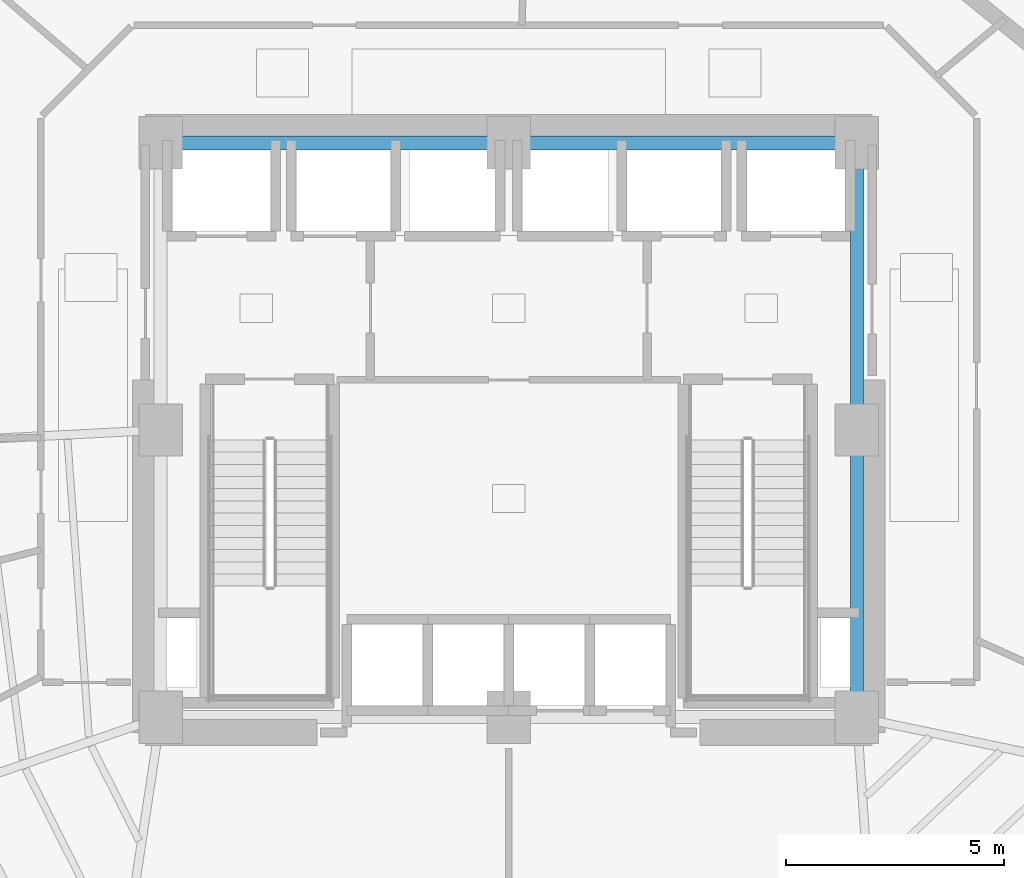
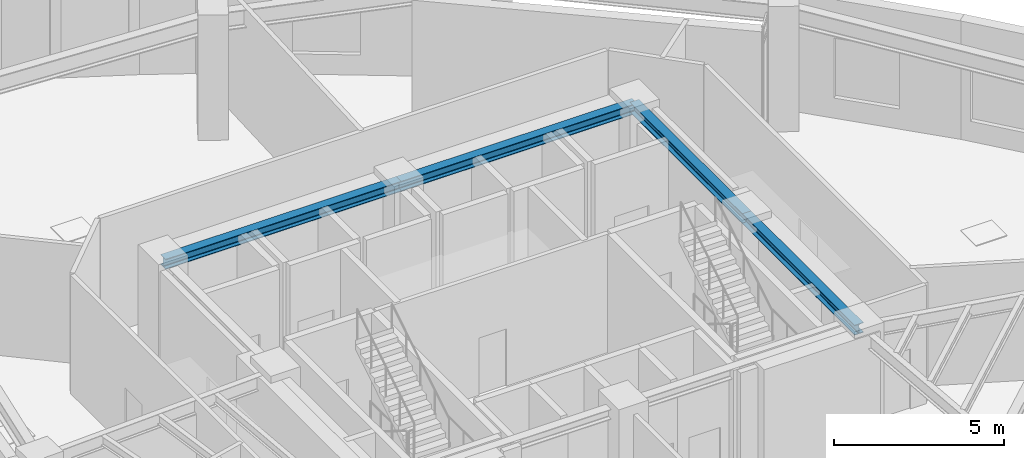
# One storey, part 3 of 16: 4 beams.
"""IFC4 building model written with IfcOpenShell, lengths in metres."""

from ifc_helpers import new_model, si_unit, direction, frame, origin, origin_2d, place, context, subcontext, project, spatial, i_section, extrude, material, material_profile, profile_set, type_object, element, save


model = new_model("IFC4")

# Units and contexts
model_context = context("Model", 3, precision=1e-05, world=origin(), true_north=direction((0.0, 1.0)))
body_context = subcontext(model_context, "Body", "Model", "MODEL_VIEW")
ifc_project = project(units=[si_unit("LENGTHUNIT", "METRE"), si_unit("AREAUNIT", "SQUARE_METRE"), si_unit("VOLUMEUNIT", "CUBIC_METRE"), si_unit("PLANEANGLEUNIT", "RADIAN"), si_unit("MASSUNIT", "GRAM", prefix="KILO")], contexts=[model_context])

# Site, building, storey
site_placement = place(None, origin())
site = spatial("IfcSite", under=ifc_project, at=site_placement, CompositionType="ELEMENT")
building_placement = place(site_placement, origin())
building = spatial("IfcBuilding", under=site, at=building_placement, Name="Ndelora Gate Hotel", CompositionType="ELEMENT")
storey_placement = place(building_placement, frame((0.0, 0.0, 92.75)))
storey = spatial("IfcBuildingStorey", under=building, at=storey_placement, Name="L22", CompositionType="ELEMENT", Elevation=92.75)

# Beams
ifc_material = material(Name="Steel S355", Category="steel")
ifc_material_profile = material_profile(ifc_material, i_section(OverallWidth=0.300048828125, OverallDepth=0.360107421875, WebThickness=0.012451171875, FlangeThickness=0.0224609375, FilletRadius=0.027099609375, at=origin_2d()), Name="HEB 360")
ifc_profile_set = profile_set([ifc_material_profile], Name="Steel S355")
beam_type = type_object("IfcBeamType", Name="BM-CORE-360", PredefinedType="BEAM", material=ifc_profile_set)
for number, where, z_axis, x_axis, name in (
    (1, (-8.0, 6.60009765625, 4.070068359375), (1.0, 0.0, 0.0), (0.0, 1.0, 0.0), "L22 Core Tie Girder CC7-CC6"),
    (2, (0.0, 6.60009765625, 4.070068359375), (1.0, 0.0, 0.0), (0.0, 1.0, 0.0), "L22 Core Tie Girder CC6-CC5"),
):
    element("IfcBeam", number, at=place(storey_placement, frame(where, z_axis=z_axis, x_axis=x_axis)), inside=storey, type_object=beam_type, Name=name, PredefinedType="BEAM", context=body_context, shape_type="SweptSolid", body=[
        extrude(i_section(OverallWidth=0.300048828125, OverallDepth=0.360107421875, WebThickness=0.012451171875, FlangeThickness=0.0224609375, FilletRadius=0.027099609375, at=origin_2d()), origin(), (0.0, 0.0, 1.0), 8.0),
    ])
for number, where, z_axis, x_axis, name in (
    (3, (8.0, -6.60009765625, 4.070068359375), (0.0, 1.0, 0.0), (-1.0, 0.0, 0.0), "L22 Core Tie Girder CC3-CC4"),
    (4, (8.0, 0.0, 4.070068359375), (0.0, 1.0, 0.0), (-1.0, 0.0, 0.0), "L22 Core Tie Girder CC4-CC5"),
):
    element("IfcBeam", number, at=place(storey_placement, frame(where, z_axis=z_axis, x_axis=x_axis)), inside=storey, type_object=beam_type, Name=name, PredefinedType="BEAM", context=body_context, shape_type="SweptSolid", body=[
        extrude(i_section(OverallWidth=0.300048828125, OverallDepth=0.360107421875, WebThickness=0.012451171875, FlangeThickness=0.0224609375, FilletRadius=0.027099609375, at=origin_2d()), origin(), (0.0, 0.0, 1.0), 6.60009765625),
    ])

save(model, "model.ifc")
